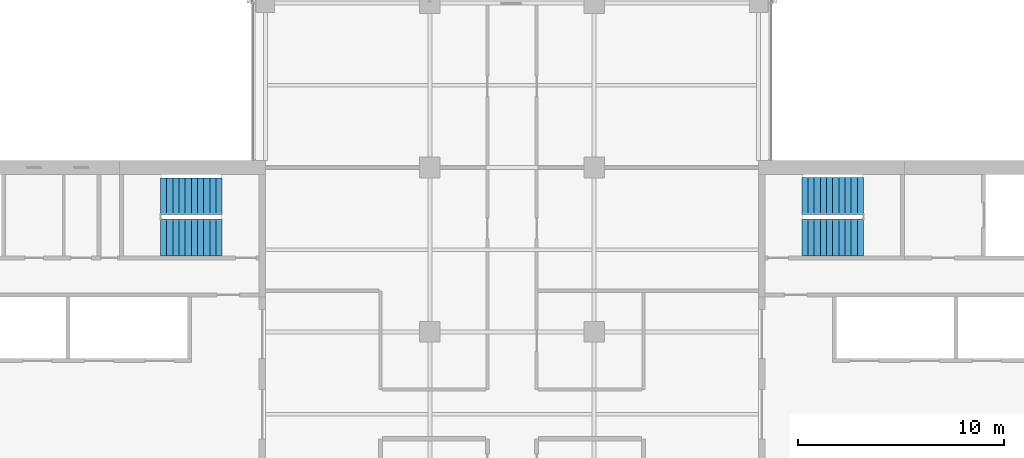
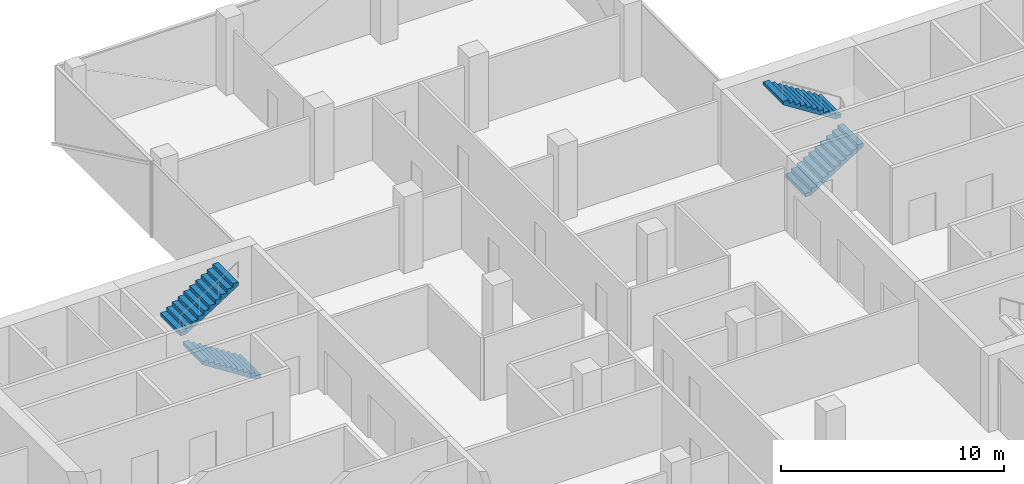
# One storey, part 17 of 22: 4 stair flights, 2 elements without a shape of their own.
"""IFC4 building model written with IfcOpenShell, lengths in metres."""

from ifc_helpers import new_model, si_unit, direction, frame, origin, place, context, subcontext, project, spatial, polyline, outline, extrude, material, type_object, element, aggregate, save


model = new_model("IFC4")

# Units and contexts
model_context = context("Model", 3, precision=1e-05, world=origin(), true_north=direction((0.0, 1.0)))
body_context = subcontext(model_context, "Body", "Model", "MODEL_VIEW")
ifc_project = project(units=[si_unit("LENGTHUNIT", "METRE"), si_unit("AREAUNIT", "SQUARE_METRE"), si_unit("VOLUMEUNIT", "CUBIC_METRE"), si_unit("PLANEANGLEUNIT", "RADIAN"), si_unit("MASSUNIT", "GRAM", prefix="KILO")], contexts=[model_context])

# Site, building, storey
site_placement = place(None, origin())
site = spatial("IfcSite", under=ifc_project, at=site_placement, CompositionType="ELEMENT")
building_placement = place(site_placement, origin())
building = spatial("IfcBuilding", under=site, at=building_placement, Name="Crosswind Convention Tower", CompositionType="ELEMENT")
storey_placement = place(building_placement, frame((0.0, 0.0, 158.89990234375)))
storey = spatial("IfcBuildingStorey", under=building, at=storey_placement, Name="L33", CompositionType="ELEMENT", Elevation=158.89990234375)

# Stair, stair flights
ifc_material = material(Name="Concrete C40/50", Category="concrete")
stair_type = type_object("IfcStairType", Name="Exit stair 1800 wide, 2 flights of 11 risers", PredefinedType="HALF_TURN_STAIR", material=ifc_material)
stair_1_placement = place(storey_placement, origin())
stair_1 = element("IfcStair", 1, at=stair_1_placement, inside=storey, type_object=stair_type, Name="Exit stair ST1 L33", ObjectType="ST5", PredefinedType="HALF_TURN_STAIR")
stair_flight_type = type_object("IfcStairFlightType", Name="Stair flight 1800 wide, 11 risers (SF4)", PredefinedType="STRAIGHT", material=ifc_material)
stair_flight_1_placement = place(storey_placement, frame((139.10009765625, 108.60009765625, 0.0), z_axis=(0.0, 0.0, 1.0), x_axis=(1.0, 0.0, 0.0)))
stair_flight_1 = element("IfcStairFlight", 2, at=stair_flight_1_placement, type_object=stair_flight_type, Name="ST1 flight 1", NumberOfRisers=11, NumberOfTreads=10, PredefinedType="STRAIGHT", RiserHeight=0.190909091, TreadLength=0.3, context=body_context, shape_type="SweptSolid", body=[
    extrude(outline(polyline([(0.0, 0.0), (0.0, 0.19091796875), (0.300048828125, 0.19091796875), (0.300048828125, 0.3818359375), (0.60009765625, 0.3818359375), (0.60009765625, 0.57275390625), (0.89990234375, 0.57275390625), (0.89990234375, 0.763671875), (1.199951171875, 0.763671875), (1.199951171875, 0.95458984375), (1.5, 0.95458984375), (1.5, 1.1455078125), (1.800048828125, 1.1455078125), (1.800048828125, 1.33642578125), (2.10009765625, 1.33642578125), (2.10009765625, 1.52734375), (2.39990234375, 1.52734375), (2.39990234375, 1.71826171875), (2.699951171875, 1.71826171875), (2.699951171875, 1.9091796875), (3.0, 1.9091796875), (3.0, 2.10009765625), (3.0, 1.7314453125), (0.279296875, 0.0), (0.0, 0.0)])), frame((0.0, 0.89990234375, 0.0), z_axis=(0.0, -1.0, 0.0), x_axis=(1.0, 0.0, 0.0)), (0.0, 0.0, 1.0), 1.800048828125),
])
stair_flight_2_placement = place(storey_placement, frame((142.10009765625, 110.60009765625, 2.10009765625), z_axis=(0.0, 0.0, 1.0), x_axis=(-1.0, 0.0, 0.0)))
stair_flight_2 = element("IfcStairFlight", 3, at=stair_flight_2_placement, type_object=stair_flight_type, Name="ST1 flight 2", NumberOfRisers=11, NumberOfTreads=10, PredefinedType="STRAIGHT", RiserHeight=0.190909091, TreadLength=0.3, context=body_context, shape_type="SweptSolid", body=[
    extrude(outline(polyline([(0.0, 0.0), (0.0, 0.19091796875), (0.300048828125, 0.19091796875), (0.300048828125, 0.3818359375), (0.60009765625, 0.3818359375), (0.60009765625, 0.57275390625), (0.89990234375, 0.57275390625), (0.89990234375, 0.763671875), (1.199951171875, 0.763671875), (1.199951171875, 0.95458984375), (1.5, 0.95458984375), (1.5, 1.1455078125), (1.800048828125, 1.1455078125), (1.800048828125, 1.33642578125), (2.10009765625, 1.33642578125), (2.10009765625, 1.52734375), (2.39990234375, 1.52734375), (2.39990234375, 1.71826171875), (2.699951171875, 1.71826171875), (2.699951171875, 1.9091796875), (3.0, 1.9091796875), (3.0, 2.10009765625), (3.0, 1.7314453125), (0.279296875, 0.0), (0.0, 0.0)])), frame((0.0, 0.89990234375, 0.0), z_axis=(0.0, -1.0, 0.0), x_axis=(1.0, 0.0, 0.0)), (0.0, 0.0, 1.0), 1.800048828125),
])
aggregate(stair_1, [stair_flight_1, stair_flight_2])

stair_2_placement = place(storey_placement, origin())
stair_2 = element("IfcStair", 4, at=stair_2_placement, inside=storey, type_object=stair_type, Name="Exit stair ST4 L33", ObjectType="ST5", PredefinedType="HALF_TURN_STAIR")
stair_flight_3_placement = place(storey_placement, frame((110.89990234375, 108.60009765625, 0.0), z_axis=(0.0, 0.0, 1.0), x_axis=(-1.0, 0.0, 0.0)))
stair_flight_3 = element("IfcStairFlight", 5, at=stair_flight_3_placement, type_object=stair_flight_type, Name="ST4 flight 1", NumberOfRisers=11, NumberOfTreads=10, PredefinedType="STRAIGHT", RiserHeight=0.190909091, TreadLength=0.3, context=body_context, shape_type="SweptSolid", body=[
    extrude(outline(polyline([(0.0, 0.0), (0.0, 0.19091796875), (0.300048828125, 0.19091796875), (0.300048828125, 0.3818359375), (0.60009765625, 0.3818359375), (0.60009765625, 0.57275390625), (0.89990234375, 0.57275390625), (0.89990234375, 0.763671875), (1.199951171875, 0.763671875), (1.199951171875, 0.95458984375), (1.5, 0.95458984375), (1.5, 1.1455078125), (1.800048828125, 1.1455078125), (1.800048828125, 1.33642578125), (2.10009765625, 1.33642578125), (2.10009765625, 1.52734375), (2.39990234375, 1.52734375), (2.39990234375, 1.71826171875), (2.699951171875, 1.71826171875), (2.699951171875, 1.9091796875), (3.0, 1.9091796875), (3.0, 2.10009765625), (3.0, 1.7314453125), (0.279296875, 0.0), (0.0, 0.0)])), frame((0.0, 0.89990234375, 0.0), z_axis=(0.0, -1.0, 0.0), x_axis=(1.0, 0.0, 0.0)), (0.0, 0.0, 1.0), 1.800048828125),
])
stair_flight_4_placement = place(storey_placement, frame((107.89990234375, 110.60009765625, 2.10009765625), z_axis=(0.0, 0.0, 1.0), x_axis=(1.0, 0.0, 0.0)))
stair_flight_4 = element("IfcStairFlight", 6, at=stair_flight_4_placement, type_object=stair_flight_type, Name="ST4 flight 2", NumberOfRisers=11, NumberOfTreads=10, PredefinedType="STRAIGHT", RiserHeight=0.190909091, TreadLength=0.3, context=body_context, shape_type="SweptSolid", body=[
    extrude(outline(polyline([(0.0, 0.0), (0.0, 0.19091796875), (0.300048828125, 0.19091796875), (0.300048828125, 0.3818359375), (0.60009765625, 0.3818359375), (0.60009765625, 0.57275390625), (0.89990234375, 0.57275390625), (0.89990234375, 0.763671875), (1.199951171875, 0.763671875), (1.199951171875, 0.95458984375), (1.5, 0.95458984375), (1.5, 1.1455078125), (1.800048828125, 1.1455078125), (1.800048828125, 1.33642578125), (2.10009765625, 1.33642578125), (2.10009765625, 1.52734375), (2.39990234375, 1.52734375), (2.39990234375, 1.71826171875), (2.699951171875, 1.71826171875), (2.699951171875, 1.9091796875), (3.0, 1.9091796875), (3.0, 2.10009765625), (3.0, 1.7314453125), (0.279296875, 0.0), (0.0, 0.0)])), frame((0.0, 0.89990234375, 0.0), z_axis=(0.0, -1.0, 0.0), x_axis=(1.0, 0.0, 0.0)), (0.0, 0.0, 1.0), 1.800048828125),
])
aggregate(stair_2, [stair_flight_3, stair_flight_4])

save(model, "model.ifc")
